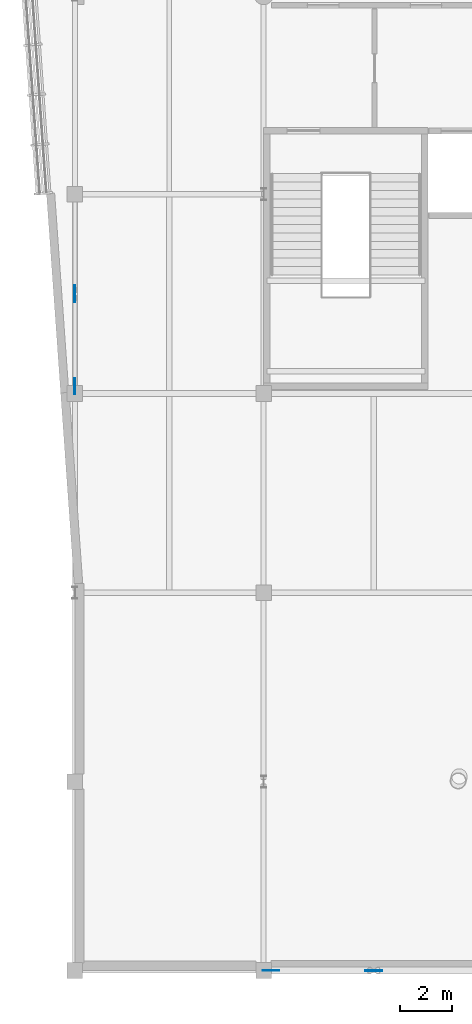
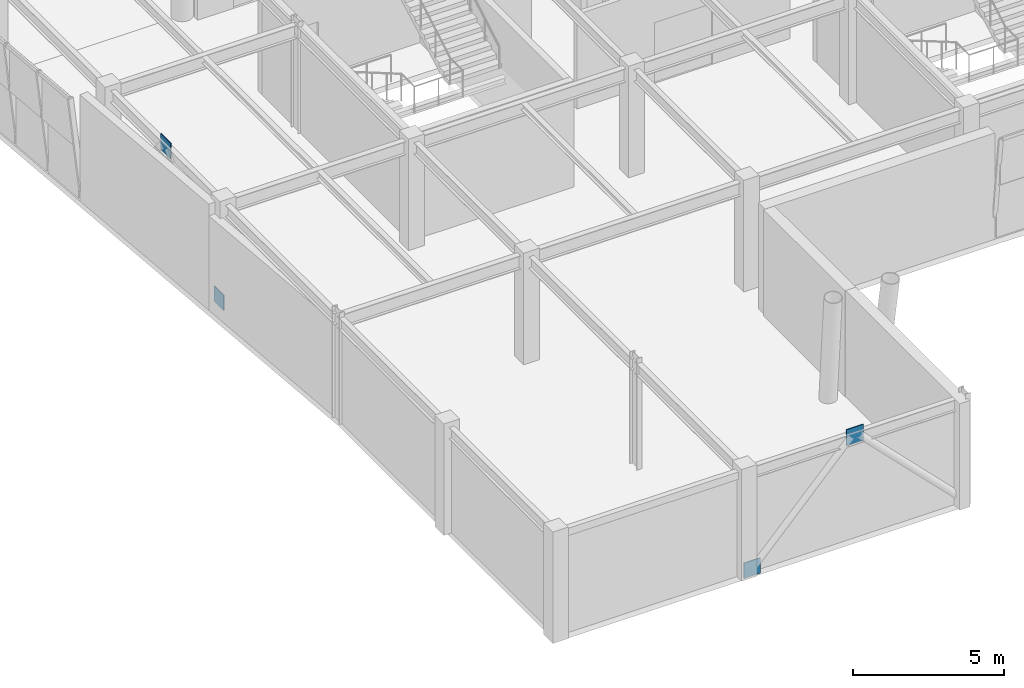
# One storey, part 15 of 28: 4 plates.
"""IFC4 building model written with IfcOpenShell, lengths in metres."""

import ifcopenshell
import ifcopenshell.guid

model = None  # the IFC model being written
_history = None  # IfcOwnerHistory: only IFC2X3 demands one
_inside = {}  # id of a spatial element -> (the spatial element, [elements in it])
_under = {}  # id of a project, library or spatial element -> (it, [spatial elements below it])
_declared = {}  # id of a project -> (the project, [libraries it declares])
_typed = {}  # id of a type object -> (the type object, [elements of that type])
_made_of = {}  # id of a material, layer set ... -> (it, [elements and type objects made of it])


def new_model(schema):
    """Start an empty IFC model of exactly this schema.

    Asked for "IFC4X3", IfcOpenShell would pick the latest addendum, in which some entities
    have other attributes; the version numbers below select the first issue.
    IFC2X3 requires an IfcOwnerHistory on every rooted entity: one is made here for all.
    """
    global model, _history
    if schema == "IFC4X3":
        model = ifcopenshell.file(schema_version=(4, 3, 0, 0))
    else:
        model = ifcopenshell.file(schema=schema)
    _inside.clear()
    _under.clear()
    _declared.clear()
    _typed.clear()
    _made_of.clear()
    _history = None
    if model.schema == "IFC2X3":
        org = make("IfcOrganization", Name="unknown")
        user = make(
            "IfcPersonAndOrganization",
            ThePerson=make("IfcPerson", FamilyName="unknown"),
            TheOrganization=org,
        )
        app = make(
            "IfcApplication",
            ApplicationDeveloper=org,
            Version="unknown",
            ApplicationFullName="unknown",
            ApplicationIdentifier="unknown",
        )
        _history = make(
            "IfcOwnerHistory",
            OwningUser=user,
            OwningApplication=app,
            ChangeAction="ADDED",
            CreationDate=0,
        )
    return model


def make(cls, **values):
    """One entity of the class cls with the attributes given. An attribute that is None is left unset."""
    return model.create_entity(
        cls, **{name: value for name, value in values.items() if value is not None}
    )


def rooted(cls, **values):
    """An entity with a GlobalId (a new one), such as an element, a storey or a relation."""
    return make(cls, GlobalId=ifcopenshell.guid.new(), OwnerHistory=_history, **values)


def si_unit(unit_type, name, prefix=None):
    """IfcSIUnit, for example si_unit("LENGTHUNIT", "METRE", prefix="MILLI")."""
    return make("IfcSIUnit", UnitType=unit_type, Prefix=prefix, Name=name)


def assignment(units):
    """IfcUnitAssignment: the units of a project."""
    return None if units is None else make("IfcUnitAssignment", Units=units)


def point(xyz):
    """IfcCartesianPoint."""
    return None if xyz is None else make("IfcCartesianPoint", Coordinates=xyz)


def direction(xyz):
    """IfcDirection."""
    return None if xyz is None else make("IfcDirection", DirectionRatios=xyz)


def frame(location, z_axis=None, x_axis=None):
    """IfcAxis2Placement3D, a coordinate frame: its origin and axes. An axis left out is left unset."""
    return make(
        "IfcAxis2Placement3D",
        Location=point(location),
        Axis=direction(z_axis),
        RefDirection=direction(x_axis),
    )


def frame_2d(location, x_axis=None):
    """IfcAxis2Placement2D, a coordinate frame in the plane: its origin and x axis."""
    return make(
        "IfcAxis2Placement2D", Location=point(location), RefDirection=direction(x_axis)
    )


def origin():
    """The frame at (0, 0, 0) with its axes left unset."""
    return frame((0.0, 0.0, 0.0))


def origin_2d():
    """The frame at (0, 0) in the plane with its x axis left unset."""
    return frame_2d((0.0, 0.0))


def place(relative_to, where):
    """IfcLocalPlacement: puts the frame where relative to a parent placement (None: the world)."""
    return make(
        "IfcLocalPlacement", PlacementRelTo=relative_to, RelativePlacement=where
    )


def context(
    kind, dimensions, precision=None, world=None, true_north=None, identifier=None
):
    """IfcGeometricRepresentationContext, for example the 3D "Model" context."""
    return make(
        "IfcGeometricRepresentationContext",
        ContextIdentifier=identifier,
        ContextType=kind,
        CoordinateSpaceDimension=dimensions,
        Precision=precision,
        WorldCoordinateSystem=world,
        TrueNorth=true_north,
    )


def subcontext(parent, identifier, kind, view, scale=None):
    """IfcGeometricRepresentationSubContext, for example "Body" below "Model"."""
    return make(
        "IfcGeometricRepresentationSubContext",
        ContextIdentifier=identifier,
        ContextType=kind,
        ParentContext=parent,
        TargetScale=scale,
        TargetView=view,
    )


def project(units=None, contexts=None):
    """IfcProject with its units and contexts."""
    return rooted(
        "IfcProject",
        Name="project",
        RepresentationContexts=contexts,
        UnitsInContext=assignment(units),
    )


def spatial(cls, under=None, at=None, **own):
    """A site, building, storey or space (cls), placed at a placement, below another one or the project."""
    s = rooted(cls, ObjectPlacement=at, **own)
    if under is not None:
        _under.setdefault(under.id(), (under, []))[1].append(s)
    return s


def profile(cls, at=None, kind="AREA", **sizes):
    """A parametric profile (cls). Its sizes go by their IFC names, for example OverallWidth=200.0."""
    return make(cls, ProfileType=kind, Position=at, **sizes)


def rectangle(**sizes):
    """IfcRectangleProfileDef."""
    return profile("IfcRectangleProfileDef", **sizes)


def extrude(swept, where, along, depth):
    """IfcExtrudedAreaSolid: the profile swept, set in the frame where, extruded along a direction by depth."""
    return make(
        "IfcExtrudedAreaSolid",
        SweptArea=swept,
        Position=where,
        ExtrudedDirection=direction(along),
        Depth=depth,
    )


def shape(context_of_items, identifier, shape_type, items):
    """IfcShapeRepresentation: the items that make up one representation, for example the "Body"."""
    return make(
        "IfcShapeRepresentation",
        ContextOfItems=context_of_items,
        RepresentationIdentifier=identifier,
        RepresentationType=shape_type,
        Items=items,
    )


def material(Name=None, Category=None):
    """IfcMaterial."""
    return make("IfcMaterial", Name=Name, Category=Category)


def layer(
    of_material, thickness, ventilated=None, Name=None, Category=None, Priority=None
):
    """IfcMaterialLayer: one layer of a wall or slab, of a material (None: an air gap)."""
    return make(
        "IfcMaterialLayer",
        Material=of_material,
        LayerThickness=thickness,
        IsVentilated=ventilated,
        Name=Name,
        Category=Category,
        Priority=Priority,
    )


def layer_set(layers, Name=None):
    """IfcMaterialLayerSet."""
    return make("IfcMaterialLayerSet", MaterialLayers=layers, LayerSetName=Name)


def made_of(thing, what):
    """Note that an element or type object is made of a material, layer set ...; save() writes the relation."""
    if what is not None:
        _made_of.setdefault(what.id(), (what, []))[1].append(thing)
    return thing


def type_object(cls, material=None, **own):
    """A type object (cls), such as IfcWallType, which elements share."""
    return made_of(rooted(cls, **own), material)


def element(
    cls,
    number,
    at=None,
    inside=None,
    cuts=None,
    type_object=None,
    material=None,
    context=None,
    identifier="Body",
    shape_type=None,
    held_by="IfcProductDefinitionShape",
    body=None,
    shapes=None,
    **own,
):
    """One element of the class cls, such as IfcWall. Its Tag is "e" and its number.

    at: its placement. inside: the storey or other place that contains it. cuts: it is an
    opening in that element (IfcRelVoidsElement). A single representation is given by context,
    identifier, shape_type and body (its items); several are given by shapes. held_by: the class
    of the entity that holds the representations. save() writes the other relations.
    """
    e = rooted(cls, Tag="e%d" % number, ObjectPlacement=at, **own)
    if body is not None:
        shapes = [shape(context, identifier, shape_type, body)]
    if shapes is not None:
        e.Representation = make(held_by, Representations=shapes)
    if inside is not None:
        _inside.setdefault(inside.id(), (inside, []))[1].append(e)
    if cuts is not None:
        rooted(
            "IfcRelVoidsElement", RelatingBuildingElement=cuts, RelatedOpeningElement=e
        )
    if type_object is not None:
        _typed.setdefault(type_object.id(), (type_object, []))[1].append(e)
    return made_of(e, material)


def aggregate(whole, parts):
    """IfcRelAggregates: a whole, such as a stair, and the parts it consists of."""
    return rooted("IfcRelAggregates", RelatingObject=whole, RelatedObjects=parts)


def save(model, path):
    """Write the relations noted so far, then the file.

    IfcRelAggregates (storeys below a building ...), IfcRelContainedInSpatialStructure (elements
    in a storey), IfcRelDefinesByType, IfcRelAssociatesMaterial and IfcRelDeclares: one each for
    every whole, place, type object, material and project.
    """
    for whole, parts in _under.values():
        aggregate(whole, parts)
    for where, things in _inside.values():
        rooted(
            "IfcRelContainedInSpatialStructure",
            RelatedElements=things,
            RelatingStructure=where,
        )
    for kind, things in _typed.values():
        rooted("IfcRelDefinesByType", RelatedObjects=things, RelatingType=kind)
    for what, things in _made_of.values():
        rooted("IfcRelAssociatesMaterial", RelatedObjects=things, RelatingMaterial=what)
    for by, libraries in _declared.values():
        rooted("IfcRelDeclares", RelatingContext=by, RelatedDefinitions=libraries)
    model.write(path)


model = new_model("IFC4")

# Units and contexts
model_context = context("Model", 3, precision=1e-05, world=origin(), true_north=direction((0.0, 1.0)))
body_context = subcontext(model_context, "Body", "Model", "MODEL_VIEW")
ifc_project = project(units=[si_unit("LENGTHUNIT", "METRE"), si_unit("AREAUNIT", "SQUARE_METRE"), si_unit("VOLUMEUNIT", "CUBIC_METRE"), si_unit("PLANEANGLEUNIT", "RADIAN"), si_unit("MASSUNIT", "GRAM", prefix="KILO")], contexts=[model_context])

# Site, building, storey
site_placement = place(None, origin())
site = spatial("IfcSite", under=ifc_project, at=site_placement, CompositionType="ELEMENT")
building_placement = place(site_placement, origin())
building = spatial("IfcBuilding", under=site, at=building_placement, Name="Xicomal Pleat Aquarium", CompositionType="ELEMENT")
storey_placement = place(building_placement, frame((0.0, 0.0, 15.300048828125)))
storey = spatial("IfcBuildingStorey", under=building, at=storey_placement, Name="L04", CompositionType="ELEMENT", Elevation=15.300048828125)

# Plates
ifc_material_1 = material(Name="Structural steel A992 Gr 50", Category="steel")
ifc_layer_1 = layer(ifc_material_1, 0.030029296875)
ifc_layer_set_1 = layer_set([ifc_layer_1], Name="Structural steel A992 Gr 50")
plate_type_1 = type_object("IfcPlateType", Name="PLT-CAP-30", PredefinedType="SHEET", material=ifc_layer_set_1)
for number, where, z_axis, x_axis, name in (
    (1, (3.0, 23.080078125, -0.16015625), (0.0, 0.0, 1.0), (0.0, 1.0, 0.0), "L04 HSS end cap plate 5"),
    (2, (10.47998046875, 0.800048828125, -0.16015625), (0.0, 0.0, 1.0), (1.0, 0.0, 0.0), "L04 HSS end cap plate 35"),
):
    element("IfcPlate", number, at=place(storey_placement, frame(where, z_axis=z_axis, x_axis=x_axis)), inside=storey, type_object=plate_type_1, Name=name, PredefinedType="SHEET", context=body_context, shape_type="SweptSolid", body=[
        extrude(rectangle(XDim=0.6201171875, YDim=0.030029296875, at=origin_2d()), origin(), (0.0, 0.0, 1.0), 0.6201171875),
    ])
ifc_material_2 = material(Name="Structural steel A992 Gr 50", Category="steel")
ifc_layer_2 = layer(ifc_material_2, 0.034912109375)
ifc_layer_set_2 = layer_set([ifc_layer_2], Name="Structural steel A992 Gr 50")
plate_type_2 = type_object("IfcPlateType", Name="PLT-GUS-35", PredefinedType="USERDEFINED", material=ifc_layer_set_2)
for number, where, z_axis, x_axis, name in (
    (3, (3.0, 26.60009765625, 3.824951171875), (0.0, 0.0, 1.0), (0.0, 1.0, 0.0), "L04 chevron gusset node plate 5"),
    (4, (14.39990234375, 0.800048828125, 3.824951171875), (0.0, 0.0, 1.0), (1.0, 0.0, 0.0), "L04 chevron gusset node plate 35"),
):
    element("IfcPlate", number, at=place(storey_placement, frame(where, z_axis=z_axis, x_axis=x_axis)), inside=storey, type_object=plate_type_2, Name=name, ObjectType="GUSSET PLATE", PredefinedType="USERDEFINED", context=body_context, shape_type="SweptSolid", body=[
        extrude(rectangle(XDim=0.64990234375, YDim=0.034912109375, at=origin_2d()), origin(), (0.0, 0.0, 1.0), 0.64990234375),
    ])

save(model, "model.ifc")
